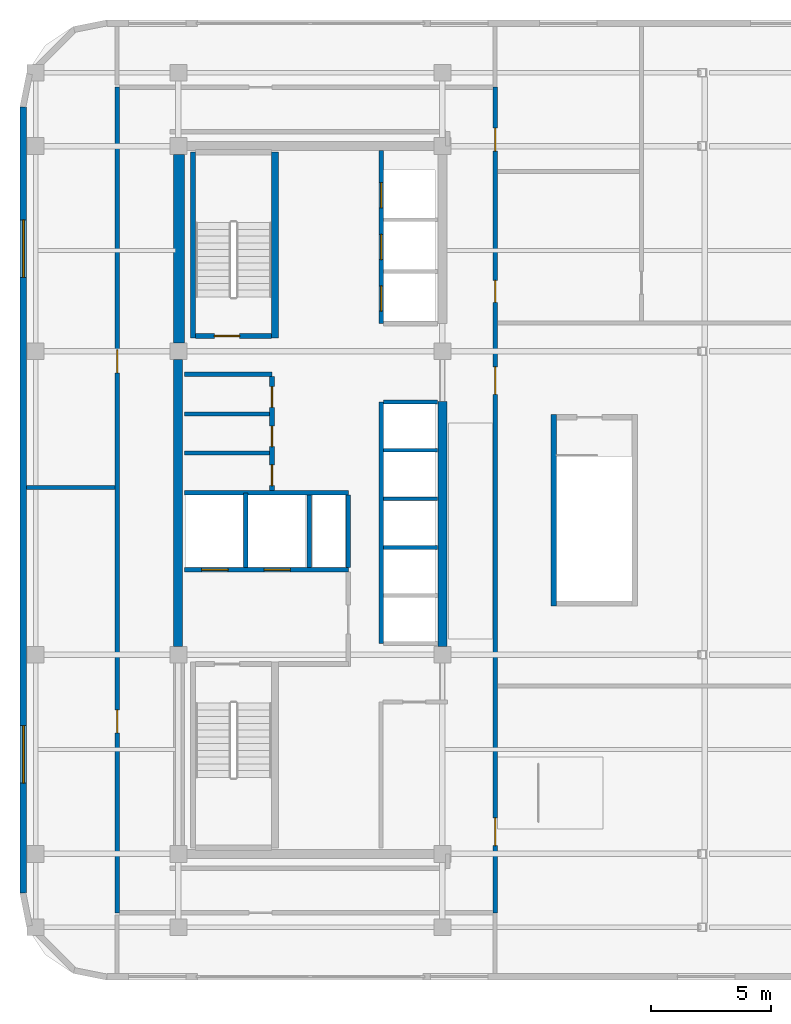
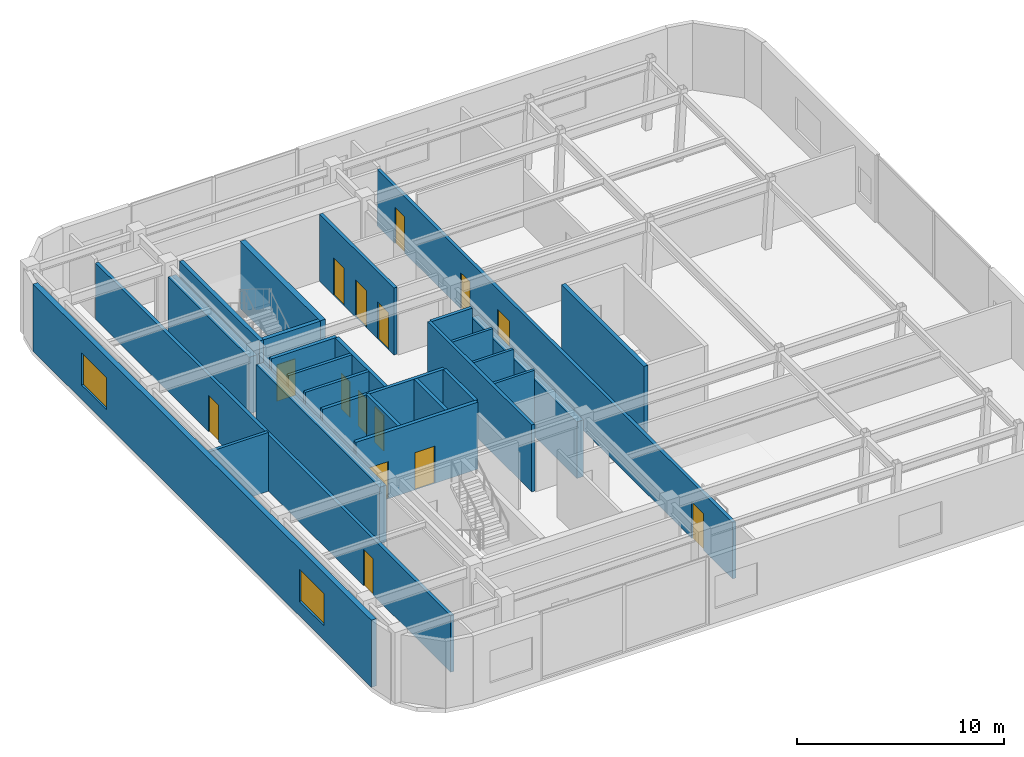
# One storey, part 7 of 10: 26 walls, 15 doors, 2 windows, 17 openings.
"""IFC4 building model written with IfcOpenShell, lengths in metres."""

from ifc_helpers import new_model, si_unit, direction, frame, frame_2d, origin, place, context, subcontext, project, spatial, rectangle, extrude, material, layer, layer_set, type_object, element, fill, save


model = new_model("IFC4")

# Units and contexts
model_context = context("Model", 3, precision=1e-05, world=origin(), true_north=direction((0.0, 1.0)))
body_context = subcontext(model_context, "Body", "Model", "MODEL_VIEW")
ifc_project = project(units=[si_unit("LENGTHUNIT", "METRE"), si_unit("AREAUNIT", "SQUARE_METRE"), si_unit("VOLUMEUNIT", "CUBIC_METRE"), si_unit("PLANEANGLEUNIT", "RADIAN"), si_unit("MASSUNIT", "GRAM", prefix="KILO")], contexts=[model_context])

# Site, building, storey
site_placement = place(None, origin())
site = spatial("IfcSite", under=ifc_project, at=site_placement, CompositionType="ELEMENT")
building_placement = place(site_placement, origin())
building = spatial("IfcBuilding", under=site, at=building_placement, Name="Ochreholt Gables", CompositionType="ELEMENT")
storey_placement = place(building_placement, frame((0.0, 0.0, 173.39990234375)))
storey = spatial("IfcBuildingStorey", under=building, at=storey_placement, Name="L45", CompositionType="ELEMENT", Elevation=173.39990234375)

# Walls
ifc_material_1 = material(Name="Concrete 50 MPa", Category="concrete")
ifc_layer_1 = layer(ifc_material_1, 0.3798828125, Name="Concrete 50 MPa")
ifc_layer_set_1 = layer_set([ifc_layer_1], Name="Concrete 50 MPa")
wall_type_1 = type_object("IfcWallType", Name="WALL-CSW-380", PredefinedType="SHEAR", material=ifc_layer_set_1)
wall_1_placement = place(storey_placement, frame((24.18994140625, 17.89990234375, 0.0), z_axis=(0.0, 0.0, 1.0), x_axis=(0.0, 1.0, 0.0)))
element("IfcWall", 1, at=wall_1_placement, inside=storey, type_object=wall_type_1, Name="L45 Core West Shear Wall WM", PredefinedType="SHEAR", context=body_context, shape_type="SweptSolid", body=[
    extrude(rectangle(XDim=11.9501953125, YDim=0.3798828125, at=frame_2d((5.97509765625, 0.0))), origin(), (0.0, 0.0, 1.0), 3.34814453125),
])
wall_2_placement = place(storey_placement, frame((35.2099609375, 17.89990234375, 0.0), z_axis=(0.0, 0.0, 1.0), x_axis=(0.0, 1.0, 0.0)))
element("IfcWall", 2, at=wall_2_placement, inside=storey, type_object=wall_type_1, Name="L45 Core Central-East Shear Wall", PredefinedType="SHEAR", context=body_context, shape_type="SweptSolid", body=[
    extrude(rectangle(XDim=10.2001953125, YDim=0.3798828125, at=frame_2d((5.10009765625, 0.0))), origin(), (0.0, 0.0, 1.0), 3.34814453125),
])
ifc_material_2 = material(Name="Concrete 60 MPa", Category="concrete")
ifc_layer_2 = layer(ifc_material_2, 0.449951171875, Name="Concrete 60 MPa")
ifc_layer_set_2 = layer_set([ifc_layer_2], Name="Concrete 60 MPa")
wall_type_2 = type_object("IfcWallType", Name="WALL-CSW-450", PredefinedType="SHEAR", material=ifc_layer_set_2)
wall_3_placement = place(storey_placement, frame((24.22509765625, 30.550048828125, 0.0), z_axis=(0.0, 0.0, 1.0), x_axis=(0.0, 1.0, 0.0)))
element("IfcWall", 3, at=wall_3_placement, inside=storey, type_object=wall_type_2, Name="L45 Core West Shear Wall WN", PredefinedType="SHEAR", context=body_context, shape_type="SweptSolid", body=[
    extrude(rectangle(XDim=7.849853515625, YDim=0.449951171875, at=frame_2d((3.9248046875, 0.0))), origin(), (0.0, 0.0, 1.0), 3.34814453125),
])

# Wall, openings, windows
ifc_material_3 = material(Name="Precast concrete 40 MPa", Category="concrete")
ifc_layer_3 = layer(ifc_material_3, 0.280029296875, Name="Precast concrete 40 MPa")
ifc_layer_set_3 = layer_set([ifc_layer_3], Name="Precast concrete 40 MPa")
wall_type_3 = type_object("IfcWallType", Name="WALL-EXT-280", PredefinedType="SOLIDWALL", material=ifc_layer_set_3)
wall_4_placement = place(storey_placement, frame((17.739990234375, 40.3798828125, 0.0), z_axis=(0.0, 0.0, 1.0), x_axis=(0.0, -1.0, 0.0)))
wall_4 = element("IfcWall", 4, at=wall_4_placement, inside=storey, type_object=wall_type_3, Name="L45 West Exterior Wall", PredefinedType="SOLIDWALL", context=body_context, shape_type="SweptSolid", body=[
    extrude(rectangle(XDim=32.759765625, YDim=0.280029296875, at=frame_2d((16.3798828125, 0.0))), origin(), (0.0, 0.0, 1.0), 3.960205078125),
])
opening_1_placement = place(wall_4_placement, frame((25.780029296875, 0.0, 0.85009765625)))
opening_1 = element("IfcOpeningElement", 5, at=opening_1_placement, cuts=wall_4, Name="Opening WN-5", PredefinedType="OPENING", context=body_context, shape_type="SweptSolid", body=[
    extrude(rectangle(XDim=2.39990234375, YDim=1.89990234375, at=frame_2d((1.199951171875, 0.949951171875))), frame((0.0, 0.14990234375, 0.0), z_axis=(0.0, -1.0, 0.0), x_axis=(1.0, 0.0, 0.0)), (0.0, 0.0, 1.0), 0.300048828125),
])
opening_2_placement = place(wall_4_placement, frame((4.705078125, 0.0, 0.85009765625)))
opening_2 = element("IfcOpeningElement", 6, at=opening_2_placement, cuts=wall_4, Name="Opening WN-5", PredefinedType="OPENING", context=body_context, shape_type="SweptSolid", body=[
    extrude(rectangle(XDim=2.39990234375, YDim=1.89990234375, at=frame_2d((1.199951171875, 0.949951171875))), frame((0.0, 0.14990234375, 0.0), z_axis=(0.0, -1.0, 0.0), x_axis=(1.0, 0.0, 0.0)), (0.0, 0.0, 1.0), 0.300048828125),
])
ifc_material_4 = material(Name="Triple-Glazed Thermally Broken Aluminium Window", Category="aluminium")
window_type = type_object("IfcWindowType", Name="WIN-COM-2400", PartitioningType="SINGLE_PANEL", PredefinedType="WINDOW", material=ifc_material_4)
window_1_placement = place(opening_1_placement, origin())
window_1 = element("IfcWindow", 7, at=window_1_placement, inside=storey, type_object=window_type, Name="L45 Window W-EXT-W-L45-1", OverallHeight=1.89990234375, OverallWidth=2.39990234375, PartitioningType="SINGLE_PANEL", PredefinedType="WINDOW", context=body_context, shape_type="SweptSolid", body=[
    extrude(rectangle(XDim=2.39990234375, YDim=1.89990234375, at=frame_2d((1.199951171875, 0.949951171875))), frame((0.0, 0.030029296875, 0.0), z_axis=(0.0, -1.0, 0.0), x_axis=(1.0, 0.0, 0.0)), (0.0, 0.0, 1.0), 0.06005859375),
])
fill(opening_1, window_1)
window_2_placement = place(opening_2_placement, origin())
window_2 = element("IfcWindow", 8, at=window_2_placement, inside=storey, type_object=window_type, Name="L45 Window W-EXT-W-L45-2", OverallHeight=1.89990234375, OverallWidth=2.39990234375, PartitioningType="SINGLE_PANEL", PredefinedType="WINDOW", context=body_context, shape_type="SweptSolid", body=[
    extrude(rectangle(XDim=2.39990234375, YDim=1.89990234375, at=frame_2d((1.199951171875, 0.949951171875))), frame((0.0, 0.030029296875, 0.0), z_axis=(0.0, -1.0, 0.0), x_axis=(1.0, 0.0, 0.0)), (0.0, 0.0, 1.0), 0.06005859375),
])
fill(opening_2, window_2)

# Wall, openings, doors
ifc_material_5 = material(Name="Concrete 40 MPa", Category="concrete")
ifc_layer_4 = layer(ifc_material_5, 0.199951171875, Name="Concrete 40 MPa")
ifc_layer_set_4 = layer_set([ifc_layer_4], Name="Concrete 40 MPa")
wall_type_4 = type_object("IfcWallType", Name="WALL-INT-CF200", PredefinedType="STANDARD", material=ifc_layer_set_4)
wall_5_placement = place(storey_placement, frame((24.449951171875, 21.090087890625, 0.0), z_axis=(0.0, 0.0, 1.0), x_axis=(1.0, 0.0, 0.0)))
wall_5 = element("IfcWall", 9, at=wall_5_placement, inside=storey, type_object=wall_type_4, Name="L45 Interior Wall WI-FFN-L45", PredefinedType="STANDARD", context=body_context, shape_type="SweptSolid", body=[
    extrude(rectangle(XDim=6.830078125, YDim=0.199951171875, at=frame_2d((3.4150390625, 0.0))), origin(), (0.0, 0.0, 1.0), 3.960205078125),
])
opening_3_placement = place(wall_5_placement, frame((0.719970703125, 0.0, 0.0)))
opening_3 = element("IfcOpeningElement", 10, at=opening_3_placement, cuts=wall_5, Name="Opening LD-FF", PredefinedType="OPENING", context=body_context, shape_type="SweptSolid", body=[
    extrude(rectangle(XDim=1.10009765625, YDim=2.199951171875, at=frame_2d((0.550048828125, 1.10009765625))), frame((0.0, 0.10986328125, 0.0), z_axis=(0.0, -1.0, 0.0), x_axis=(1.0, 0.0, 0.0)), (0.0, 0.0, 1.0), 0.219970703125),
])
opening_4_placement = place(wall_5_placement, frame((3.320068359375, 0.0, 0.0)))
opening_4 = element("IfcOpeningElement", 11, at=opening_4_placement, cuts=wall_5, Name="Opening LD-FF", PredefinedType="OPENING", context=body_context, shape_type="SweptSolid", body=[
    extrude(rectangle(XDim=1.10009765625, YDim=2.199951171875, at=frame_2d((0.550048828125, 1.10009765625))), frame((0.0, 0.10986328125, 0.0), z_axis=(0.0, -1.0, 0.0), x_axis=(1.0, 0.0, 0.0)), (0.0, 0.0, 1.0), 0.219970703125),
])
ifc_material_6 = material(Name="Stainless Steel", Category="steel")
door_type_1 = type_object("IfcDoorType", Name="DR-LFT-FF1100", OperationType="NOTDEFINED", PredefinedType="DOOR", material=ifc_material_6)
door_1_placement = place(opening_3_placement, origin())
door_1 = element("IfcDoor", 12, at=door_1_placement, inside=storey, type_object=door_type_1, Name="L45 Door LD-FF1-L45", OperationType="SLIDING_TO_LEFT", OverallHeight=2.199951171875, OverallWidth=1.10009765625, PredefinedType="DOOR", context=body_context, shape_type="SweptSolid", body=[
    extrude(rectangle(XDim=1.10009765625, YDim=2.199951171875, at=frame_2d((0.550048828125, 1.10009765625))), frame((0.0, 0.02490234375, 0.0), z_axis=(0.0, -1.0, 0.0), x_axis=(1.0, 0.0, 0.0)), (0.0, 0.0, 1.0), 0.050048828125),
])
fill(opening_3, door_1)
door_2_placement = place(opening_4_placement, origin())
door_2 = element("IfcDoor", 13, at=door_2_placement, inside=storey, type_object=door_type_1, Name="L45 Door LD-FF2-L45", OperationType="SLIDING_TO_LEFT", OverallHeight=2.199951171875, OverallWidth=1.10009765625, PredefinedType="DOOR", context=body_context, shape_type="SweptSolid", body=[
    extrude(rectangle(XDim=1.10009765625, YDim=2.199951171875, at=frame_2d((0.550048828125, 1.10009765625))), frame((0.0, 0.02490234375, 0.0), z_axis=(0.0, -1.0, 0.0), x_axis=(1.0, 0.0, 0.0)), (0.0, 0.0, 1.0), 0.050048828125),
])
fill(opening_4, door_2)

# Wall
wall_6_placement = place(storey_placement, frame((24.449951171875, 29.239990234375, 0.0), z_axis=(0.0, 0.0, 1.0), x_axis=(1.0, 0.0, 0.0)))
element("IfcWall", 14, at=wall_6_placement, inside=storey, type_object=wall_type_4, Name="L45 Interior Wall WI-SRVN-L45", PredefinedType="STANDARD", context=body_context, shape_type="SweptSolid", body=[
    extrude(rectangle(XDim=3.650146484375, YDim=0.199951171875, at=frame_2d((1.8251953125, 0.0))), origin(), (0.0, 0.0, 1.0), 3.960205078125),
])

# Wall, openings, doors
wall_7_placement = place(storey_placement, frame((28.10009765625, 24.389892578125, 0.0), z_axis=(0.0, 0.0, 1.0), x_axis=(0.0, 1.0, 0.0)))
wall_7 = element("IfcWall", 15, at=wall_7_placement, inside=storey, type_object=wall_type_4, Name="L45 Interior Wall WI-SRVE-L45", PredefinedType="STANDARD", context=body_context, shape_type="SweptSolid", body=[
    extrude(rectangle(XDim=4.75, YDim=0.199951171875, at=frame_2d((2.375, 0.0))), origin(), (0.0, 0.0, 1.0), 3.960205078125),
])
opening_5_placement = place(wall_7_placement, frame((0.2099609375, 0.0, 0.0)))
opening_5 = element("IfcOpeningElement", 16, at=opening_5_placement, cuts=wall_7, Name="Opening D-SV2", PredefinedType="OPENING", context=body_context, shape_type="SweptSolid", body=[
    extrude(rectangle(XDim=0.860107421875, YDim=2.10009765625, at=frame_2d((0.43017578125, 1.050048828125))), frame((0.0, 0.10986328125, 0.0), z_axis=(0.0, -1.0, 0.0), x_axis=(1.0, 0.0, 0.0)), (0.0, 0.0, 1.0), 0.219970703125),
])
opening_6_placement = place(wall_7_placement, frame((1.830078125, 0.0, 0.0)))
opening_6 = element("IfcOpeningElement", 17, at=opening_6_placement, cuts=wall_7, Name="Opening D-SV2", PredefinedType="OPENING", context=body_context, shape_type="SweptSolid", body=[
    extrude(rectangle(XDim=0.860107421875, YDim=2.10009765625, at=frame_2d((0.43017578125, 1.050048828125))), frame((0.0, 0.10986328125, 0.0), z_axis=(0.0, -1.0, 0.0), x_axis=(1.0, 0.0, 0.0)), (0.0, 0.0, 1.0), 0.219970703125),
])
opening_7_placement = place(wall_7_placement, frame((3.469970703125, 0.0, 0.0)))
opening_7 = element("IfcOpeningElement", 18, at=opening_7_placement, cuts=wall_7, Name="Opening D-SV2", PredefinedType="OPENING", context=body_context, shape_type="SweptSolid", body=[
    extrude(rectangle(XDim=0.860107421875, YDim=2.10009765625, at=frame_2d((0.43017578125, 1.050048828125))), frame((0.0, 0.10986328125, 0.0), z_axis=(0.0, -1.0, 0.0), x_axis=(1.0, 0.0, 0.0)), (0.0, 0.0, 1.0), 0.219970703125),
])
ifc_material_7 = material(Name="Hollow Metal Steel", Category="steel")
door_type_2 = type_object("IfcDoorType", Name="DR-INT-SRV860", OperationType="NOTDEFINED", PredefinedType="DOOR", material=ifc_material_7)
door_3_placement = place(opening_5_placement, origin())
door_3 = element("IfcDoor", 19, at=door_3_placement, inside=storey, type_object=door_type_2, Name="L45 Door D-SRV1-L45", OperationType="SINGLE_SWING_LEFT", OverallHeight=2.10009765625, OverallWidth=0.860107421875, PredefinedType="DOOR", context=body_context, shape_type="SweptSolid", body=[
    extrude(rectangle(XDim=0.860107421875, YDim=2.10009765625, at=frame_2d((0.43017578125, 1.050048828125))), frame((0.0, 0.02490234375, 0.0), z_axis=(0.0, -1.0, 0.0), x_axis=(1.0, 0.0, 0.0)), (0.0, 0.0, 1.0), 0.050048828125),
])
fill(opening_5, door_3)
door_4_placement = place(opening_6_placement, origin())
door_4 = element("IfcDoor", 20, at=door_4_placement, inside=storey, type_object=door_type_2, Name="L45 Door D-SRV2-L45", OperationType="SINGLE_SWING_RIGHT", OverallHeight=2.10009765625, OverallWidth=0.860107421875, PredefinedType="DOOR", context=body_context, shape_type="SweptSolid", body=[
    extrude(rectangle(XDim=0.860107421875, YDim=2.10009765625, at=frame_2d((0.43017578125, 1.050048828125))), frame((0.0, 0.02490234375, 0.0), z_axis=(0.0, -1.0, 0.0), x_axis=(1.0, 0.0, 0.0)), (0.0, 0.0, 1.0), 0.050048828125),
])
fill(opening_6, door_4)
door_5_placement = place(opening_7_placement, origin())
door_5 = element("IfcDoor", 21, at=door_5_placement, inside=storey, type_object=door_type_2, Name="L45 Door D-SRV3-L45", OperationType="SINGLE_SWING_LEFT", OverallHeight=2.10009765625, OverallWidth=0.860107421875, PredefinedType="DOOR", context=body_context, shape_type="SweptSolid", body=[
    extrude(rectangle(XDim=0.860107421875, YDim=2.10009765625, at=frame_2d((0.43017578125, 1.050048828125))), frame((0.0, 0.02490234375, 0.0), z_axis=(0.0, -1.0, 0.0), x_axis=(1.0, 0.0, 0.0)), (0.0, 0.0, 1.0), 0.050048828125),
])
fill(opening_7, door_5)

ifc_material_8 = material(Name="Fire-Rated Gypsum Acoustic Partition", Category="gypsum")
ifc_layer_5 = layer(ifc_material_8, 0.179931640625, Name="Fire-Rated Gypsum Acoustic Partition")
ifc_layer_set_5 = layer_set([ifc_layer_5], Name="Fire-Rated Gypsum Acoustic Partition")
wall_type_5 = type_object("IfcWallType", Name="WALL-INT-CR180", PredefinedType="STANDARD", material=ifc_layer_set_5)
wall_8_placement = place(storey_placement, frame((37.39990234375, 6.800048828125, 0.0), z_axis=(0.0, 0.0, 1.0), x_axis=(0.0, 1.0, 0.0)))
wall_8 = element("IfcWall", 22, at=wall_8_placement, inside=storey, type_object=wall_type_5, Name="L45 Interior Wall WI-CMCE-L45", PredefinedType="STANDARD", context=body_context, shape_type="SweptSolid", body=[
    extrude(rectangle(XDim=34.39990234375, YDim=0.179931640625, at=frame_2d((17.199951171875, 0.0))), origin(), (0.0, 0.0, 1.0), 3.330078125),
])
opening_8_placement = place(wall_8_placement, frame((25.429931640625, 0.0, 0.0)))
opening_8 = element("IfcOpeningElement", 23, at=opening_8_placement, cuts=wall_8, Name="Opening D-WC1", PredefinedType="OPENING", context=body_context, shape_type="SweptSolid", body=[
    extrude(rectangle(XDim=0.919921875, YDim=2.139892578125, at=frame_2d((0.4599609375, 1.06982421875))), frame((0.0, 0.099853515625, 0.0), z_axis=(0.0, -1.0, 0.0), x_axis=(1.0, 0.0, 0.0)), (0.0, 0.0, 1.0), 0.199951171875),
])
opening_9_placement = place(wall_8_placement, frame((31.739990234375, 0.0, 0.0)))
opening_9 = element("IfcOpeningElement", 24, at=opening_9_placement, cuts=wall_8, Name="Opening D-WC2", PredefinedType="OPENING", context=body_context, shape_type="SweptSolid", body=[
    extrude(rectangle(XDim=0.949951171875, YDim=2.139892578125, at=frame_2d((0.47509765625, 1.06982421875))), frame((0.0, 0.099853515625, 0.0), z_axis=(0.0, -1.0, 0.0), x_axis=(1.0, 0.0, 0.0)), (0.0, 0.0, 1.0), 0.199951171875),
])
opening_10_placement = place(wall_8_placement, frame((2.800048828125, 0.0, 0.0)))
opening_10 = element("IfcOpeningElement", 25, at=opening_10_placement, cuts=wall_8, Name="Opening D-CM1", PredefinedType="OPENING", context=body_context, shape_type="SweptSolid", body=[
    extrude(rectangle(XDim=1.14990234375, YDim=2.14990234375, at=frame_2d((0.574951171875, 1.074951171875))), frame((0.0, 0.099853515625, 0.0), z_axis=(0.0, -1.0, 0.0), x_axis=(1.0, 0.0, 0.0)), (0.0, 0.0, 1.0), 0.199951171875),
])
opening_11_placement = place(wall_8_placement, frame((21.60009765625, 0.0, 0.0)))
opening_11 = element("IfcOpeningElement", 26, at=opening_11_placement, cuts=wall_8, Name="Opening D-CM1", PredefinedType="OPENING", context=body_context, shape_type="SweptSolid", body=[
    extrude(rectangle(XDim=1.14990234375, YDim=2.14990234375, at=frame_2d((0.574951171875, 1.074951171875))), frame((0.0, 0.099853515625, 0.0), z_axis=(0.0, -1.0, 0.0), x_axis=(1.0, 0.0, 0.0)), (0.0, 0.0, 1.0), 0.199951171875),
])
ifc_material_9 = material(Name="Engineered Oak Timber", Category="wood")
door_type_3 = type_object("IfcDoorType", Name="DR-INT-COM1150", OperationType="NOTDEFINED", PredefinedType="DOOR", material=ifc_material_9)
door_6_placement = place(opening_10_placement, origin())
door_6 = element("IfcDoor", 27, at=door_6_placement, inside=storey, type_object=door_type_3, Name="L45 Door D-CMS-L45", OperationType="SINGLE_SWING_LEFT", OverallHeight=2.14990234375, OverallWidth=1.14990234375, PredefinedType="DOOR", context=body_context, shape_type="SweptSolid", body=[
    extrude(rectangle(XDim=1.14990234375, YDim=2.14990234375, at=frame_2d((0.574951171875, 1.074951171875))), frame((0.0, 0.02490234375, 0.0), z_axis=(0.0, -1.0, 0.0), x_axis=(1.0, 0.0, 0.0)), (0.0, 0.0, 1.0), 0.050048828125),
])
fill(opening_10, door_6)
door_7_placement = place(opening_11_placement, origin())
door_7 = element("IfcDoor", 28, at=door_7_placement, inside=storey, type_object=door_type_3, Name="L45 Door D-CMM-L45", OperationType="SINGLE_SWING_RIGHT", OverallHeight=2.14990234375, OverallWidth=1.14990234375, PredefinedType="DOOR", context=body_context, shape_type="SweptSolid", body=[
    extrude(rectangle(XDim=1.14990234375, YDim=2.14990234375, at=frame_2d((0.574951171875, 1.074951171875))), frame((0.0, 0.02490234375, 0.0), z_axis=(0.0, -1.0, 0.0), x_axis=(1.0, 0.0, 0.0)), (0.0, 0.0, 1.0), 0.050048828125),
])
fill(opening_11, door_7)
door_type_4 = type_object("IfcDoorType", Name="DR-INT-WC920", OperationType="NOTDEFINED", PredefinedType="DOOR", material=ifc_material_9)
door_8_placement = place(opening_8_placement, origin())
door_8 = element("IfcDoor", 29, at=door_8_placement, inside=storey, type_object=door_type_4, Name="L45 Door D-CMWC1-L45", OperationType="SINGLE_SWING_LEFT", OverallHeight=2.139892578125, OverallWidth=0.919921875, PredefinedType="DOOR", context=body_context, shape_type="SweptSolid", body=[
    extrude(rectangle(XDim=0.919921875, YDim=2.139892578125, at=frame_2d((0.4599609375, 1.06982421875))), frame((0.0, 0.02490234375, 0.0), z_axis=(0.0, -1.0, 0.0), x_axis=(1.0, 0.0, 0.0)), (0.0, 0.0, 1.0), 0.050048828125),
])
fill(opening_8, door_8)
door_type_5 = type_object("IfcDoorType", Name="DR-INT-WC950", OperationType="NOTDEFINED", PredefinedType="DOOR", material=ifc_material_9)
door_9_placement = place(opening_9_placement, origin())
door_9 = element("IfcDoor", 30, at=door_9_placement, inside=storey, type_object=door_type_5, Name="L45 Door D-CMWC2-L45", OperationType="SINGLE_SWING_RIGHT", OverallHeight=2.139892578125, OverallWidth=0.949951171875, PredefinedType="DOOR", context=body_context, shape_type="SweptSolid", body=[
    extrude(rectangle(XDim=0.949951171875, YDim=2.139892578125, at=frame_2d((0.47509765625, 1.06982421875))), frame((0.0, 0.02490234375, 0.0), z_axis=(0.0, -1.0, 0.0), x_axis=(1.0, 0.0, 0.0)), (0.0, 0.0, 1.0), 0.050048828125),
])
fill(opening_9, door_9)

wall_9_placement = place(storey_placement, frame((21.64990234375, 6.800048828125, 0.0), z_axis=(0.0, 0.0, 1.0), x_axis=(0.0, 1.0, 0.0)))
wall_9 = element("IfcWall", 31, at=wall_9_placement, inside=storey, type_object=wall_type_5, Name="L45 Interior Wall WI-CMCW-L45", PredefinedType="STANDARD", context=body_context, shape_type="SweptSolid", body=[
    extrude(rectangle(XDim=34.39990234375, YDim=0.179931640625, at=frame_2d((17.199951171875, 0.0))), origin(), (0.0, 0.0, 1.0), 3.330078125),
])
opening_12_placement = place(wall_9_placement, frame((7.5, 0.0, 0.0)))
opening_12 = element("IfcOpeningElement", 32, at=opening_12_placement, cuts=wall_9, Name="Opening D-GN1", PredefinedType="OPENING", context=body_context, shape_type="SweptSolid", body=[
    extrude(rectangle(XDim=0.949951171875, YDim=2.14990234375, at=frame_2d((0.47509765625, 1.074951171875))), frame((0.0, 0.099853515625, 0.0), z_axis=(0.0, -1.0, 0.0), x_axis=(1.0, 0.0, 0.0)), (0.0, 0.0, 1.0), 0.199951171875),
])
opening_13_placement = place(wall_9_placement, frame((22.5, 0.0, 0.0)))
opening_13 = element("IfcOpeningElement", 33, at=opening_13_placement, cuts=wall_9, Name="Opening D-GN1", PredefinedType="OPENING", context=body_context, shape_type="SweptSolid", body=[
    extrude(rectangle(XDim=0.949951171875, YDim=2.14990234375, at=frame_2d((0.47509765625, 1.074951171875))), frame((0.0, 0.099853515625, 0.0), z_axis=(0.0, -1.0, 0.0), x_axis=(1.0, 0.0, 0.0)), (0.0, 0.0, 1.0), 0.199951171875),
])
door_type_6 = type_object("IfcDoorType", Name="DR-INT-GEN950", OperationType="NOTDEFINED", PredefinedType="DOOR", material=ifc_material_9)
door_10_placement = place(opening_12_placement, origin())
door_10 = element("IfcDoor", 34, at=door_10_placement, inside=storey, type_object=door_type_6, Name="L45 Door D-CMW1-L45", OperationType="SINGLE_SWING_LEFT", OverallHeight=2.14990234375, OverallWidth=0.949951171875, PredefinedType="DOOR", context=body_context, shape_type="SweptSolid", body=[
    extrude(rectangle(XDim=0.949951171875, YDim=2.14990234375, at=frame_2d((0.47509765625, 1.074951171875))), frame((0.0, 0.02490234375, 0.0), z_axis=(0.0, -1.0, 0.0), x_axis=(1.0, 0.0, 0.0)), (0.0, 0.0, 1.0), 0.050048828125),
])
fill(opening_12, door_10)
door_11_placement = place(opening_13_placement, origin())
door_11 = element("IfcDoor", 35, at=door_11_placement, inside=storey, type_object=door_type_6, Name="L45 Door D-CMW2-L45", OperationType="SINGLE_SWING_RIGHT", OverallHeight=2.14990234375, OverallWidth=0.949951171875, PredefinedType="DOOR", context=body_context, shape_type="SweptSolid", body=[
    extrude(rectangle(XDim=0.949951171875, YDim=2.14990234375, at=frame_2d((0.47509765625, 1.074951171875))), frame((0.0, 0.02490234375, 0.0), z_axis=(0.0, -1.0, 0.0), x_axis=(1.0, 0.0, 0.0)), (0.0, 0.0, 1.0), 0.050048828125),
])
fill(opening_13, door_11)

# Walls
ifc_material_10 = material(Name="Gypsum Acoustic Stud Partition", Category="gypsum")
ifc_layer_6 = layer(ifc_material_10, 0.1650390625, Name="Gypsum Acoustic Stud Partition")
ifc_layer_set_6 = layer_set([ifc_layer_6], Name="Gypsum Acoustic Stud Partition")
wall_type_6 = type_object("IfcWallType", Name="WALL-INT-PT165", PredefinedType="PARTITIONING", material=ifc_layer_set_6)
for number, where, z_axis, x_axis, name in (
    (36, (24.449951171875, 25.949951171875, 0.0), (0.0, 0.0, 1.0), (1.0, 0.0, 0.0), "L45 Interior Wall WI-SRVP1-L45"),
    (37, (24.449951171875, 27.580078125, 0.0), (0.0, 0.0, 1.0), (1.0, 0.0, 0.0), "L45 Interior Wall WI-SRVP2-L45"),
):
    element("IfcWall", number, at=place(storey_placement, frame(where, z_axis=z_axis, x_axis=x_axis)), inside=storey, type_object=wall_type_6, Name=name, PredefinedType="PARTITIONING", context=body_context, shape_type="SweptSolid", body=[
        extrude(rectangle(XDim=3.550048828125, YDim=0.1650390625, at=frame_2d((1.77490234375, 0.0))), origin(), (0.0, 0.0, 1.0), 3.960205078125),
    ])
wall_10_placement = place(storey_placement, frame((17.8798828125, 24.52490234375, 0.0), z_axis=(0.0, 0.0, 1.0), x_axis=(1.0, 0.0, 0.0)))
element("IfcWall", 38, at=wall_10_placement, inside=storey, type_object=wall_type_6, Name="L45 Interior Wall WI-CMWM-L45", PredefinedType="PARTITIONING", context=body_context, shape_type="SweptSolid", body=[
    extrude(rectangle(XDim=3.68017578125, YDim=0.1650390625, at=frame_2d((1.840087890625, 0.0))), origin(), (0.0, 0.0, 1.0), 3.47900390625),
])
ifc_material_11 = material(Name="Gypsum Shaftliner and Steel Stud", Category="steel")
ifc_layer_7 = layer(ifc_material_11, 0.14990234375, Name="Gypsum Shaftliner and Steel Stud")
ifc_layer_set_7 = layer_set([ifc_layer_7], Name="Gypsum Shaftliner and Steel Stud")
wall_type_7 = type_object("IfcWallType", Name="WALL-INT-SH150", PredefinedType="STANDARD", material=ifc_layer_set_7)
for number, where, z_axis, x_axis, name in (
    (39, (32.739990234375, 22.02001953125, 0.0), (0.0, 0.0, 1.0), (1.0, 0.0, 0.0), "L45 Interior Wall WI-LFHE-DH2-L45"),
    (40, (32.739990234375, 24.050048828125, 0.0), (0.0, 0.0, 1.0), (1.0, 0.0, 0.0), "L45 Interior Wall WI-LFHE-DHE-L45"),
    (41, (32.739990234375, 26.070068359375, 0.0), (0.0, 0.0, 1.0), (1.0, 0.0, 0.0), "L45 Interior Wall WI-LFHE-DEX1-L45"),
):
    element("IfcWall", number, at=place(storey_placement, frame(where, z_axis=z_axis, x_axis=x_axis)), inside=storey, type_object=wall_type_7, Name=name, PredefinedType="STANDARD", context=body_context, shape_type="SweptSolid", body=[
        extrude(rectangle(XDim=2.260009765625, YDim=0.14990234375, at=frame_2d((1.1298828125, 0.0))), origin(), (0.0, 0.0, 1.0), 3.960205078125),
    ])
ifc_layer_8 = layer(ifc_material_11, 0.179931640625, Name="Gypsum Shaftliner and Steel Stud")
ifc_layer_set_8 = layer_set([ifc_layer_8], Name="Gypsum Shaftliner and Steel Stud")
wall_type_8 = type_object("IfcWallType", Name="WALL-INT-SH180", PredefinedType="STANDARD", material=ifc_layer_set_8)
wall_11_placement = place(storey_placement, frame((27.0, 21.18994140625, 0.0), z_axis=(0.0, 0.0, 1.0), x_axis=(0.0, 1.0, 0.0)))
element("IfcWall", 42, at=wall_11_placement, inside=storey, type_object=wall_type_8, Name="L45 Interior Wall WI-FFDIV-L45", PredefinedType="STANDARD", context=body_context, shape_type="SweptSolid", body=[
    extrude(rectangle(XDim=3.110107421875, YDim=0.179931640625, at=frame_2d((1.55517578125, 0.0))), origin(), (0.0, 0.0, 1.0), 3.960205078125),
])
wall_12_placement = place(storey_placement, frame((24.449951171875, 24.300048828125, 0.0), z_axis=(0.0, 0.0, 1.0), x_axis=(1.0, 0.0, 0.0)))
element("IfcWall", 43, at=wall_12_placement, inside=storey, type_object=wall_type_8, Name="L45 Interior Wall WI-FFBK-L45", PredefinedType="STANDARD", context=body_context, shape_type="SweptSolid", body=[
    extrude(rectangle(XDim=6.830078125, YDim=0.179931640625, at=frame_2d((3.4150390625, 0.0))), origin(), (0.0, 0.0, 1.0), 3.960205078125),
])
for number, where, z_axis, x_axis, name in (
    (44, (29.64990234375, 21.18994140625, 0.0), (0.0, 0.0, 1.0), (0.0, 1.0, 0.0), "L45 Interior Wall WI-FFSH-L45"),
    (45, (31.280029296875, 21.18994140625, 0.0), (0.0, 0.0, 1.0), (0.0, 1.0, 0.0), "L45 Interior Wall WI-RSE-L45"),
):
    element("IfcWall", number, at=place(storey_placement, frame(where, z_axis=z_axis, x_axis=x_axis)), inside=storey, type_object=wall_type_8, Name=name, PredefinedType="STANDARD", context=body_context, shape_type="SweptSolid", body=[
        extrude(rectangle(XDim=3.02001953125, YDim=0.179931640625, at=frame_2d((1.510009765625, 0.0))), origin(), (0.0, 0.0, 1.0), 3.960205078125),
    ])
wall_13_placement = place(storey_placement, frame((32.64990234375, 18.02001953125, 0.0), z_axis=(0.0, 0.0, 1.0), x_axis=(0.0, 1.0, 0.0)))
element("IfcWall", 46, at=wall_13_placement, inside=storey, type_object=wall_type_8, Name="L45 Interior Wall WI-LFHE-FR-L45", PredefinedType="STANDARD", context=body_context, shape_type="SweptSolid", body=[
    extrude(rectangle(XDim=10.06005859375, YDim=0.179931640625, at=frame_2d((5.030029296875, 0.0))), origin(), (0.0, 0.0, 1.0), 3.960205078125),
])
wall_14_placement = place(storey_placement, frame((32.739990234375, 28.080078125, 0.0), z_axis=(0.0, 0.0, 1.0), x_axis=(1.0, 0.0, 0.0)))
element("IfcWall", 47, at=wall_14_placement, inside=storey, type_object=wall_type_8, Name="L45 Interior Wall WI-LFHE-N-L45", PredefinedType="STANDARD", context=body_context, shape_type="SweptSolid", body=[
    extrude(rectangle(XDim=2.260009765625, YDim=0.179931640625, at=frame_2d((1.1298828125, 0.0))), origin(), (0.0, 0.0, 1.0), 3.960205078125),
])

# Wall, openings, doors
wall_15_placement = place(storey_placement, frame((32.64990234375, 31.35009765625, 0.0), z_axis=(0.0, 0.0, 1.0), x_axis=(0.0, 1.0, 0.0)))
wall_15 = element("IfcWall", 48, at=wall_15_placement, inside=storey, type_object=wall_type_8, Name="L45 Interior Wall WI-LFM-FR-L45", PredefinedType="STANDARD", context=body_context, shape_type="SweptSolid", body=[
    extrude(rectangle(XDim=7.2099609375, YDim=0.179931640625, at=frame_2d((3.60498046875, 0.0))), origin(), (0.0, 0.0, 1.0), 3.960205078125),
])
opening_14_placement = place(wall_15_placement, frame((0.52001953125, 0.0, 0.0)))
opening_14 = element("IfcOpeningElement", 49, at=opening_14_placement, cuts=wall_15, Name="Opening LD-PX", PredefinedType="OPENING", context=body_context, shape_type="SweptSolid", body=[
    extrude(rectangle(XDim=1.050048828125, YDim=2.199951171875, at=frame_2d((0.52490234375, 1.10009765625))), frame((0.0, 0.099853515625, 0.0), z_axis=(0.0, -1.0, 0.0), x_axis=(1.0, 0.0, 0.0)), (0.0, 0.0, 1.0), 0.199951171875),
])
opening_15_placement = place(wall_15_placement, frame((2.669921875, 0.0, 0.0)))
opening_15 = element("IfcOpeningElement", 50, at=opening_15_placement, cuts=wall_15, Name="Opening LD-PX", PredefinedType="OPENING", context=body_context, shape_type="SweptSolid", body=[
    extrude(rectangle(XDim=1.050048828125, YDim=2.199951171875, at=frame_2d((0.52490234375, 1.10009765625))), frame((0.0, 0.099853515625, 0.0), z_axis=(0.0, -1.0, 0.0), x_axis=(1.0, 0.0, 0.0)), (0.0, 0.0, 1.0), 0.199951171875),
])
opening_16_placement = place(wall_15_placement, frame((4.820068359375, 0.0, 0.0)))
opening_16 = element("IfcOpeningElement", 51, at=opening_16_placement, cuts=wall_15, Name="Opening LD-PX", PredefinedType="OPENING", context=body_context, shape_type="SweptSolid", body=[
    extrude(rectangle(XDim=1.050048828125, YDim=2.199951171875, at=frame_2d((0.52490234375, 1.10009765625))), frame((0.0, 0.099853515625, 0.0), z_axis=(0.0, -1.0, 0.0), x_axis=(1.0, 0.0, 0.0)), (0.0, 0.0, 1.0), 0.199951171875),
])
door_type_7 = type_object("IfcDoorType", Name="DR-LFT-PX1050", OperationType="NOTDEFINED", PredefinedType="DOOR", material=ifc_material_6)
door_12_placement = place(opening_14_placement, origin())
door_12 = element("IfcDoor", 52, at=door_12_placement, inside=storey, type_object=door_type_7, Name="L45 Door LD-M1-L45", OperationType="SLIDING_TO_LEFT", OverallHeight=2.199951171875, OverallWidth=1.050048828125, PredefinedType="DOOR", context=body_context, shape_type="SweptSolid", body=[
    extrude(rectangle(XDim=1.050048828125, YDim=2.199951171875, at=frame_2d((0.52490234375, 1.10009765625))), frame((0.0, 0.02490234375, 0.0), z_axis=(0.0, -1.0, 0.0), x_axis=(1.0, 0.0, 0.0)), (0.0, 0.0, 1.0), 0.050048828125),
])
fill(opening_14, door_12)
door_13_placement = place(opening_15_placement, origin())
door_13 = element("IfcDoor", 53, at=door_13_placement, inside=storey, type_object=door_type_7, Name="L45 Door LD-M2-L45", OperationType="SLIDING_TO_LEFT", OverallHeight=2.199951171875, OverallWidth=1.050048828125, PredefinedType="DOOR", context=body_context, shape_type="SweptSolid", body=[
    extrude(rectangle(XDim=1.050048828125, YDim=2.199951171875, at=frame_2d((0.52490234375, 1.10009765625))), frame((0.0, 0.02490234375, 0.0), z_axis=(0.0, -1.0, 0.0), x_axis=(1.0, 0.0, 0.0)), (0.0, 0.0, 1.0), 0.050048828125),
])
fill(opening_15, door_13)
door_14_placement = place(opening_16_placement, origin())
door_14 = element("IfcDoor", 54, at=door_14_placement, inside=storey, type_object=door_type_7, Name="L45 Door LD-M3-L45", OperationType="SLIDING_TO_LEFT", OverallHeight=2.199951171875, OverallWidth=1.050048828125, PredefinedType="DOOR", context=body_context, shape_type="SweptSolid", body=[
    extrude(rectangle(XDim=1.050048828125, YDim=2.199951171875, at=frame_2d((0.52490234375, 1.10009765625))), frame((0.0, 0.02490234375, 0.0), z_axis=(0.0, -1.0, 0.0), x_axis=(1.0, 0.0, 0.0)), (0.0, 0.0, 1.0), 0.050048828125),
])
fill(opening_16, door_14)

# Walls
ifc_layer_9 = layer(ifc_material_2, 0.300048828125, Name="Concrete 60 MPa")
ifc_layer_set_9 = layer_set([ifc_layer_9], Name="Concrete 60 MPa")
wall_type_9 = type_object("IfcWallType", Name="WALL-SPN-300", PredefinedType="SHEAR", material=ifc_layer_set_9)
wall_16_placement = place(storey_placement, frame((28.22998046875, 30.739990234375, 0.0), z_axis=(0.0, 0.0, 1.0), x_axis=(0.0, 1.0, 0.0)))
element("IfcWall", 55, at=wall_16_placement, inside=storey, type_object=wall_type_9, Name="L45 Core North Spine Shear Wall", PredefinedType="SHEAR", context=body_context, shape_type="SweptSolid", body=[
    extrude(rectangle(XDim=7.760009765625, YDim=0.300048828125, at=frame_2d((3.8798828125, 0.0))), origin(), (0.0, 0.0, 1.0), 3.960205078125),
])
ifc_layer_10 = layer(ifc_material_1, 0.219970703125, Name="Concrete 50 MPa")
ifc_layer_set_10 = layer_set([ifc_layer_10], Name="Concrete 50 MPa")
wall_type_10 = type_object("IfcWallType", Name="WALL-STW-220", PredefinedType="SHEAR", material=ifc_layer_set_10)
wall_17_placement = place(storey_placement, frame((24.81005859375, 30.739990234375, 0.0), z_axis=(0.0, 0.0, 1.0), x_axis=(0.0, 1.0, 0.0)))
element("IfcWall", 56, at=wall_17_placement, inside=storey, type_object=wall_type_10, Name="L45 Exit Stair 2 West Wall", PredefinedType="SHEAR", context=body_context, shape_type="SweptSolid", body=[
    extrude(rectangle(XDim=7.760009765625, YDim=0.219970703125, at=frame_2d((3.8798828125, 0.0))), origin(), (0.0, 0.0, 1.0), 3.960205078125),
])

# Wall, opening, door
wall_18_placement = place(storey_placement, frame((24.919921875, 30.830078125, 0.0), z_axis=(0.0, 0.0, 1.0), x_axis=(1.0, 0.0, 0.0)))
wall_18 = element("IfcWall", 57, at=wall_18_placement, inside=storey, type_object=wall_type_10, Name="L45 Exit Stair 2 South Wall", PredefinedType="SHEAR", context=body_context, shape_type="SweptSolid", body=[
    extrude(rectangle(XDim=3.16015625, YDim=0.219970703125, at=frame_2d((1.580078125, 0.0))), origin(), (0.0, 0.0, 1.0), 3.960205078125),
])
opening_17_placement = place(wall_18_placement, frame((0.780029296875, 0.0, 0.0)))
opening_17 = element("IfcOpeningElement", 58, at=opening_17_placement, cuts=wall_18, Name="Opening D-STC", PredefinedType="OPENING", context=body_context, shape_type="SweptSolid", body=[
    extrude(rectangle(XDim=1.050048828125, YDim=2.14990234375, at=frame_2d((0.52490234375, 1.074951171875))), frame((0.0, 0.119873046875, 0.0), z_axis=(0.0, -1.0, 0.0), x_axis=(1.0, 0.0, 0.0)), (0.0, 0.0, 1.0), 0.239990234375),
])
door_type_8 = type_object("IfcDoorType", Name="DR-INT-ST1050", OperationType="NOTDEFINED", PredefinedType="DOOR", material=ifc_material_7)
door_15_placement = place(opening_17_placement, origin())
door_15 = element("IfcDoor", 59, at=door_15_placement, inside=storey, type_object=door_type_8, Name="L45 Door D-ST2-L45", OperationType="SINGLE_SWING_RIGHT", OverallHeight=2.14990234375, OverallWidth=1.050048828125, PredefinedType="DOOR", context=body_context, shape_type="SweptSolid", body=[
    extrude(rectangle(XDim=1.050048828125, YDim=2.14990234375, at=frame_2d((0.52490234375, 1.074951171875))), frame((0.0, 0.02490234375, 0.0), z_axis=(0.0, -1.0, 0.0), x_axis=(1.0, 0.0, 0.0)), (0.0, 0.0, 1.0), 0.050048828125),
])
fill(opening_17, door_15)

# Wall
wall_19_placement = place(storey_placement, frame((39.840087890625, 19.580078125, 0.0), z_axis=(0.0, 0.0, 1.0), x_axis=(0.0, 1.0, 0.0)))
element("IfcWall", 60, at=wall_19_placement, inside=storey, type_object=wall_type_10, Name="L45 Feature Stair ST-C4 West Wall", PredefinedType="SHEAR", context=body_context, shape_type="SweptSolid", body=[
    extrude(rectangle(XDim=7.97998046875, YDim=0.219970703125, at=frame_2d((3.989990234375, 0.0))), origin(), (0.0, 0.0, 1.0), 3.960205078125),
])

save(model, "model.ifc")
